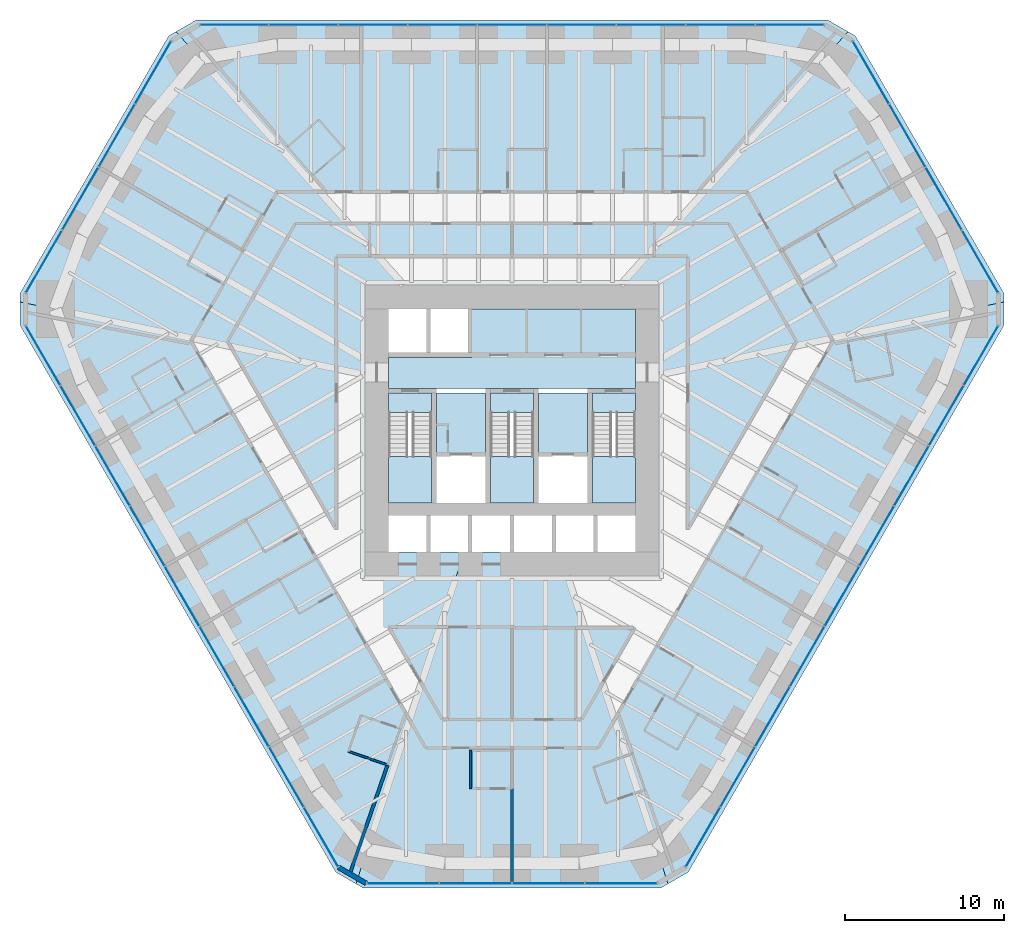
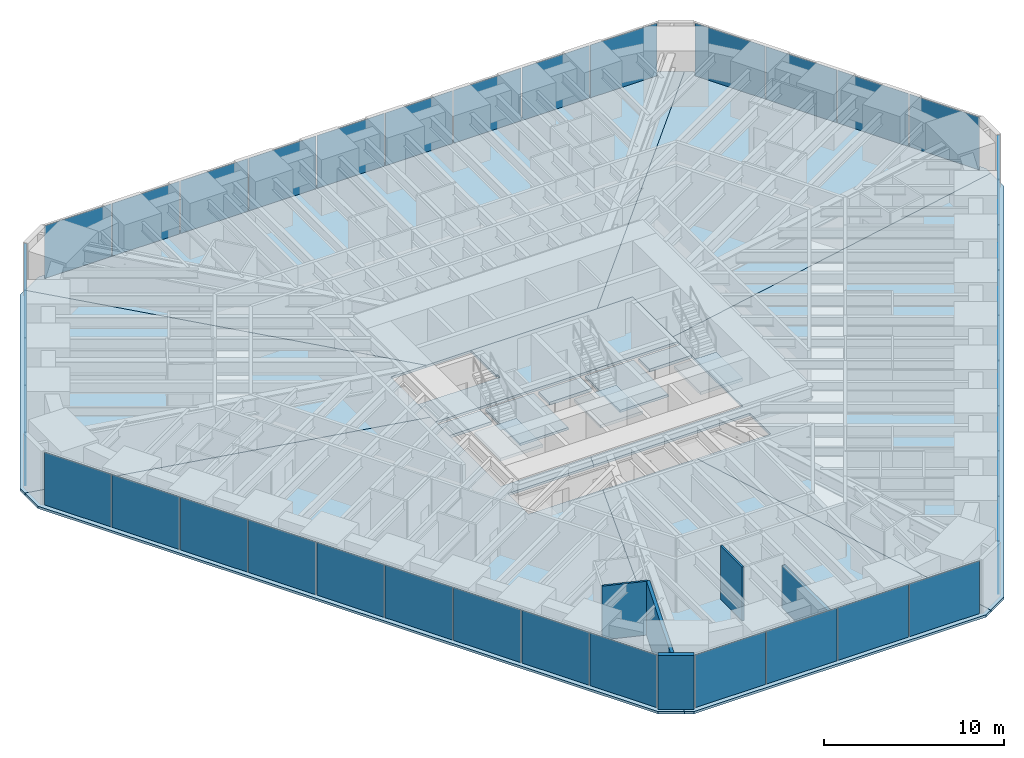
# One storey, part 10 of 17: 39 plates, 15 slabs, 5 walls, 9 elements without a shape of their own.
"""IFC4 building model written with IfcOpenShell, lengths in metres."""

import ifcopenshell
import ifcopenshell.guid

model = None  # the IFC model being written
_history = None  # IfcOwnerHistory: only IFC2X3 demands one
_inside = {}  # id of a spatial element -> (the spatial element, [elements in it])
_under = {}  # id of a project, library or spatial element -> (it, [spatial elements below it])
_declared = {}  # id of a project -> (the project, [libraries it declares])
_typed = {}  # id of a type object -> (the type object, [elements of that type])
_made_of = {}  # id of a material, layer set ... -> (it, [elements and type objects made of it])


def new_model(schema):
    """Start an empty IFC model of exactly this schema.

    Asked for "IFC4X3", IfcOpenShell would pick the latest addendum, in which some entities
    have other attributes; the version numbers below select the first issue.
    IFC2X3 requires an IfcOwnerHistory on every rooted entity: one is made here for all.
    """
    global model, _history
    if schema == "IFC4X3":
        model = ifcopenshell.file(schema_version=(4, 3, 0, 0))
    else:
        model = ifcopenshell.file(schema=schema)
    _inside.clear()
    _under.clear()
    _declared.clear()
    _typed.clear()
    _made_of.clear()
    _history = None
    if model.schema == "IFC2X3":
        org = make("IfcOrganization", Name="unknown")
        user = make(
            "IfcPersonAndOrganization",
            ThePerson=make("IfcPerson", FamilyName="unknown"),
            TheOrganization=org,
        )
        app = make(
            "IfcApplication",
            ApplicationDeveloper=org,
            Version="unknown",
            ApplicationFullName="unknown",
            ApplicationIdentifier="unknown",
        )
        _history = make(
            "IfcOwnerHistory",
            OwningUser=user,
            OwningApplication=app,
            ChangeAction="ADDED",
            CreationDate=0,
        )
    return model


def make(cls, **values):
    """One entity of the class cls with the attributes given. An attribute that is None is left unset."""
    return model.create_entity(
        cls, **{name: value for name, value in values.items() if value is not None}
    )


def rooted(cls, **values):
    """An entity with a GlobalId (a new one), such as an element, a storey or a relation."""
    return make(cls, GlobalId=ifcopenshell.guid.new(), OwnerHistory=_history, **values)


def si_unit(unit_type, name, prefix=None):
    """IfcSIUnit, for example si_unit("LENGTHUNIT", "METRE", prefix="MILLI")."""
    return make("IfcSIUnit", UnitType=unit_type, Prefix=prefix, Name=name)


def assignment(units):
    """IfcUnitAssignment: the units of a project."""
    return None if units is None else make("IfcUnitAssignment", Units=units)


def point(xyz):
    """IfcCartesianPoint."""
    return None if xyz is None else make("IfcCartesianPoint", Coordinates=xyz)


def direction(xyz):
    """IfcDirection."""
    return None if xyz is None else make("IfcDirection", DirectionRatios=xyz)


def frame(location, z_axis=None, x_axis=None):
    """IfcAxis2Placement3D, a coordinate frame: its origin and axes. An axis left out is left unset."""
    return make(
        "IfcAxis2Placement3D",
        Location=point(location),
        Axis=direction(z_axis),
        RefDirection=direction(x_axis),
    )


def frame_2d(location, x_axis=None):
    """IfcAxis2Placement2D, a coordinate frame in the plane: its origin and x axis."""
    return make(
        "IfcAxis2Placement2D", Location=point(location), RefDirection=direction(x_axis)
    )


def origin():
    """The frame at (0, 0, 0) with its axes left unset."""
    return frame((0.0, 0.0, 0.0))


def origin_2d():
    """The frame at (0, 0) in the plane with its x axis left unset."""
    return frame_2d((0.0, 0.0))


def place(relative_to, where):
    """IfcLocalPlacement: puts the frame where relative to a parent placement (None: the world)."""
    return make(
        "IfcLocalPlacement", PlacementRelTo=relative_to, RelativePlacement=where
    )


def context(
    kind, dimensions, precision=None, world=None, true_north=None, identifier=None
):
    """IfcGeometricRepresentationContext, for example the 3D "Model" context."""
    return make(
        "IfcGeometricRepresentationContext",
        ContextIdentifier=identifier,
        ContextType=kind,
        CoordinateSpaceDimension=dimensions,
        Precision=precision,
        WorldCoordinateSystem=world,
        TrueNorth=true_north,
    )


def subcontext(parent, identifier, kind, view, scale=None):
    """IfcGeometricRepresentationSubContext, for example "Body" below "Model"."""
    return make(
        "IfcGeometricRepresentationSubContext",
        ContextIdentifier=identifier,
        ContextType=kind,
        ParentContext=parent,
        TargetScale=scale,
        TargetView=view,
    )


def project(units=None, contexts=None):
    """IfcProject with its units and contexts."""
    return rooted(
        "IfcProject",
        Name="project",
        RepresentationContexts=contexts,
        UnitsInContext=assignment(units),
    )


def spatial(cls, under=None, at=None, **own):
    """A site, building, storey or space (cls), placed at a placement, below another one or the project."""
    s = rooted(cls, ObjectPlacement=at, **own)
    if under is not None:
        _under.setdefault(under.id(), (under, []))[1].append(s)
    return s


def polyline(points):
    """IfcPolyline through the points."""
    return make("IfcPolyline", Points=[point(p) for p in points])


def profile(cls, at=None, kind="AREA", **sizes):
    """A parametric profile (cls). Its sizes go by their IFC names, for example OverallWidth=200.0."""
    return make(cls, ProfileType=kind, Position=at, **sizes)


def rectangle(**sizes):
    """IfcRectangleProfileDef."""
    return profile("IfcRectangleProfileDef", **sizes)


def outline(outer, holes=None, kind="AREA"):
    """IfcArbitraryClosedProfileDef: a profile drawn as a closed curve; with holes, ...WithVoids."""
    if holes is None:
        return make("IfcArbitraryClosedProfileDef", ProfileType=kind, OuterCurve=outer)
    return make(
        "IfcArbitraryProfileDefWithVoids",
        ProfileType=kind,
        OuterCurve=outer,
        InnerCurves=holes,
    )


def extrude(swept, where, along, depth):
    """IfcExtrudedAreaSolid: the profile swept, set in the frame where, extruded along a direction by depth."""
    return make(
        "IfcExtrudedAreaSolid",
        SweptArea=swept,
        Position=where,
        ExtrudedDirection=direction(along),
        Depth=depth,
    )


def shape(context_of_items, identifier, shape_type, items):
    """IfcShapeRepresentation: the items that make up one representation, for example the "Body"."""
    return make(
        "IfcShapeRepresentation",
        ContextOfItems=context_of_items,
        RepresentationIdentifier=identifier,
        RepresentationType=shape_type,
        Items=items,
    )


def material(Name=None, Category=None):
    """IfcMaterial."""
    return make("IfcMaterial", Name=Name, Category=Category)


def layer(
    of_material, thickness, ventilated=None, Name=None, Category=None, Priority=None
):
    """IfcMaterialLayer: one layer of a wall or slab, of a material (None: an air gap)."""
    return make(
        "IfcMaterialLayer",
        Material=of_material,
        LayerThickness=thickness,
        IsVentilated=ventilated,
        Name=Name,
        Category=Category,
        Priority=Priority,
    )


def layer_set(layers, Name=None):
    """IfcMaterialLayerSet."""
    return make("IfcMaterialLayerSet", MaterialLayers=layers, LayerSetName=Name)


def made_of(thing, what):
    """Note that an element or type object is made of a material, layer set ...; save() writes the relation."""
    if what is not None:
        _made_of.setdefault(what.id(), (what, []))[1].append(thing)
    return thing


def type_object(cls, material=None, **own):
    """A type object (cls), such as IfcWallType, which elements share."""
    return made_of(rooted(cls, **own), material)


def element(
    cls,
    number,
    at=None,
    inside=None,
    cuts=None,
    type_object=None,
    material=None,
    context=None,
    identifier="Body",
    shape_type=None,
    held_by="IfcProductDefinitionShape",
    body=None,
    shapes=None,
    **own,
):
    """One element of the class cls, such as IfcWall. Its Tag is "e" and its number.

    at: its placement. inside: the storey or other place that contains it. cuts: it is an
    opening in that element (IfcRelVoidsElement). A single representation is given by context,
    identifier, shape_type and body (its items); several are given by shapes. held_by: the class
    of the entity that holds the representations. save() writes the other relations.
    """
    e = rooted(cls, Tag="e%d" % number, ObjectPlacement=at, **own)
    if body is not None:
        shapes = [shape(context, identifier, shape_type, body)]
    if shapes is not None:
        e.Representation = make(held_by, Representations=shapes)
    if inside is not None:
        _inside.setdefault(inside.id(), (inside, []))[1].append(e)
    if cuts is not None:
        rooted(
            "IfcRelVoidsElement", RelatingBuildingElement=cuts, RelatedOpeningElement=e
        )
    if type_object is not None:
        _typed.setdefault(type_object.id(), (type_object, []))[1].append(e)
    return made_of(e, material)


def aggregate(whole, parts):
    """IfcRelAggregates: a whole, such as a stair, and the parts it consists of."""
    return rooted("IfcRelAggregates", RelatingObject=whole, RelatedObjects=parts)


def save(model, path):
    """Write the relations noted so far, then the file.

    IfcRelAggregates (storeys below a building ...), IfcRelContainedInSpatialStructure (elements
    in a storey), IfcRelDefinesByType, IfcRelAssociatesMaterial and IfcRelDeclares: one each for
    every whole, place, type object, material and project.
    """
    for whole, parts in _under.values():
        aggregate(whole, parts)
    for where, things in _inside.values():
        rooted(
            "IfcRelContainedInSpatialStructure",
            RelatedElements=things,
            RelatingStructure=where,
        )
    for kind, things in _typed.values():
        rooted("IfcRelDefinesByType", RelatedObjects=things, RelatingType=kind)
    for what, things in _made_of.values():
        rooted("IfcRelAssociatesMaterial", RelatedObjects=things, RelatingMaterial=what)
    for by, libraries in _declared.values():
        rooted("IfcRelDeclares", RelatingContext=by, RelatedDefinitions=libraries)
    model.write(path)


model = new_model("IFC4")

# Units and contexts
model_context = context("Model", 3, precision=1e-05, world=origin(), true_north=direction((0.0, 1.0)))
body_context = subcontext(model_context, "Body", "Model", "MODEL_VIEW")
ifc_project = project(units=[si_unit("LENGTHUNIT", "METRE"), si_unit("AREAUNIT", "SQUARE_METRE"), si_unit("VOLUMEUNIT", "CUBIC_METRE"), si_unit("PLANEANGLEUNIT", "RADIAN"), si_unit("MASSUNIT", "GRAM", prefix="KILO")], contexts=[model_context])

# Site, building, storey
site_placement = place(None, origin())
site = spatial("IfcSite", under=ifc_project, at=site_placement, CompositionType="ELEMENT")
building_placement = place(site_placement, origin())
building = spatial("IfcBuilding", under=site, at=building_placement, Name="Sandreach Pilgrim Tower", CompositionType="ELEMENT")
storey_placement = place(building_placement, frame((0.0, 0.0, 30.60009765625)))
storey = spatial("IfcBuildingStorey", under=building, at=storey_placement, Name="L06", CompositionType="ELEMENT", Elevation=30.60009765625)

# Curtain wall, plates
ifc_material_1 = material(Name="Aluminium framed curtain wall", Category="aluminium")
curtain_wall_type = type_object("IfcCurtainWallType", Name="Hostel tower curtain wall", PredefinedType="NOTDEFINED", material=ifc_material_1)
curtain_wall_1_placement = place(storey_placement, origin())
curtain_wall_1 = element("IfcCurtainWall", 1, at=curtain_wall_1_placement, inside=storey, type_object=curtain_wall_type, Name="CW-1 L06 N", PredefinedType="NOTDEFINED")
ifc_material_2 = material(Name="Insulating glass unit 6 heat-strengthened + 12 argon + 6 heat-strengthened", Category="glass")
ifc_layer_1 = layer(ifc_material_2, 0.02392578125)
ifc_layer_set_1 = layer_set([ifc_layer_1], Name="CW-1 panel")
plate_type = type_object("IfcPlateType", Name="CW-1 panel", PredefinedType="CURTAIN_PANEL", material=ifc_layer_set_1)
plate_1_placement = place(storey_placement, frame((-17.469970703125, 23.94873046875, 0.0), z_axis=(0.0, 0.0, 1.0), x_axis=(1.0, 0.0, 0.0)))
plate_1 = element("IfcPlate", 2, at=plate_1_placement, type_object=plate_type, Name="CW-1 panel 1", PredefinedType="CURTAIN_PANEL", context=body_context, shape_type="SweptSolid", body=[
    extrude(rectangle(XDim=4.274169921875, YDim=0.02392578125, at=origin_2d()), origin(), (0.0, 0.0, 1.0), 3.570068359375),
])
plate_2_placement = place(storey_placement, frame((-13.11474609375, 23.94873046875, 0.0), z_axis=(0.0, 0.0, 1.0), x_axis=(1.0, 0.0, 0.0)))
plate_2 = element("IfcPlate", 3, at=plate_2_placement, type_object=plate_type, Name="CW-1 panel 2", PredefinedType="CURTAIN_PANEL", context=body_context, shape_type="SweptSolid", body=[
    extrude(rectangle(XDim=4.306640625, YDim=0.02392578125, at=origin_2d()), origin(), (0.0, 0.0, 1.0), 3.570068359375),
])
plate_3_placement = place(storey_placement, frame((-8.7431640625, 23.94873046875, 0.0), z_axis=(0.0, 0.0, 1.0), x_axis=(1.0, 0.0, 0.0)))
plate_3 = element("IfcPlate", 4, at=plate_3_placement, type_object=plate_type, Name="CW-1 panel 3", PredefinedType="CURTAIN_PANEL", context=body_context, shape_type="SweptSolid", body=[
    extrude(rectangle(XDim=4.306640625, YDim=0.02392578125, at=origin_2d()), origin(), (0.0, 0.0, 1.0), 3.570068359375),
])
plate_4_placement = place(storey_placement, frame((-4.37158203125, 23.94873046875, 0.0), z_axis=(0.0, 0.0, 1.0), x_axis=(1.0, 0.0, 0.0)))
plate_4 = element("IfcPlate", 5, at=plate_4_placement, type_object=plate_type, Name="CW-1 panel 4", PredefinedType="CURTAIN_PANEL", context=body_context, shape_type="SweptSolid", body=[
    extrude(rectangle(XDim=4.306640625, YDim=0.02392578125, at=origin_2d()), origin(), (0.0, 0.0, 1.0), 3.570068359375),
])
plate_5_placement = place(storey_placement, frame((0.0, 23.94873046875, 0.0), z_axis=(0.0, 0.0, 1.0), x_axis=(1.0, 0.0, 0.0)))
plate_5 = element("IfcPlate", 6, at=plate_5_placement, type_object=plate_type, Name="CW-1 panel 5", PredefinedType="CURTAIN_PANEL", context=body_context, shape_type="SweptSolid", body=[
    extrude(rectangle(XDim=4.306640625, YDim=0.02392578125, at=origin_2d()), origin(), (0.0, 0.0, 1.0), 3.570068359375),
])
plate_6_placement = place(storey_placement, frame((4.37158203125, 23.94873046875, 0.0), z_axis=(0.0, 0.0, 1.0), x_axis=(1.0, 0.0, 0.0)))
plate_6 = element("IfcPlate", 7, at=plate_6_placement, type_object=plate_type, Name="CW-1 panel 6", PredefinedType="CURTAIN_PANEL", context=body_context, shape_type="SweptSolid", body=[
    extrude(rectangle(XDim=4.306640625, YDim=0.02392578125, at=origin_2d()), origin(), (0.0, 0.0, 1.0), 3.570068359375),
])
plate_7_placement = place(storey_placement, frame((8.7431640625, 23.94873046875, 0.0), z_axis=(0.0, 0.0, 1.0), x_axis=(1.0, 0.0, 0.0)))
plate_7 = element("IfcPlate", 8, at=plate_7_placement, type_object=plate_type, Name="CW-1 panel 7", PredefinedType="CURTAIN_PANEL", context=body_context, shape_type="SweptSolid", body=[
    extrude(rectangle(XDim=4.306640625, YDim=0.02392578125, at=origin_2d()), origin(), (0.0, 0.0, 1.0), 3.570068359375),
])
plate_8_placement = place(storey_placement, frame((13.11474609375, 23.94873046875, 0.0), z_axis=(0.0, 0.0, 1.0), x_axis=(1.0, 0.0, 0.0)))
plate_8 = element("IfcPlate", 9, at=plate_8_placement, type_object=plate_type, Name="CW-1 panel 8", PredefinedType="CURTAIN_PANEL", context=body_context, shape_type="SweptSolid", body=[
    extrude(rectangle(XDim=4.306640625, YDim=0.02392578125, at=origin_2d()), origin(), (0.0, 0.0, 1.0), 3.570068359375),
])
plate_9_placement = place(storey_placement, frame((17.469970703125, 23.94873046875, 0.0), z_axis=(0.0, 0.0, 1.0), x_axis=(1.0, 0.0, 0.0)))
plate_9 = element("IfcPlate", 10, at=plate_9_placement, type_object=plate_type, Name="CW-1 panel 9", PredefinedType="CURTAIN_PANEL", context=body_context, shape_type="SweptSolid", body=[
    extrude(rectangle(XDim=4.274169921875, YDim=0.02392578125, at=origin_2d()), origin(), (0.0, 0.0, 1.0), 3.570068359375),
])
aggregate(curtain_wall_1, [plate_1, plate_2, plate_3, plate_4, plate_5, plate_6, plate_7, plate_8, plate_9])

curtain_wall_2_placement = place(storey_placement, origin())
curtain_wall_2 = element("IfcCurtainWall", 11, at=curtain_wall_2_placement, inside=storey, type_object=curtain_wall_type, Name="CW-1 L06 NE", PredefinedType="NOTDEFINED")
plate_10_placement = place(storey_placement, frame((22.558837890625, 20.94873046875, 0.0), z_axis=(0.0, 0.0, 1.0), x_axis=(0.5, -0.866025403784, 0.0)))
plate_10 = element("IfcPlate", 12, at=plate_10_placement, type_object=plate_type, Name="CW-1 panel 1", PredefinedType="CURTAIN_PANEL", context=body_context, shape_type="SweptSolid", body=[
    extrude(rectangle(XDim=4.488525390625, YDim=0.02392578125, at=origin_2d()), origin(), (0.0, 0.0, 1.0), 3.570068359375),
])
plate_11_placement = place(storey_placement, frame((24.84375, 16.9912109375, 0.0), z_axis=(0.0, 0.0, 1.0), x_axis=(0.5, -0.866025403784, 0.0)))
plate_11 = element("IfcPlate", 13, at=plate_11_placement, type_object=plate_type, Name="CW-1 panel 2", PredefinedType="CURTAIN_PANEL", context=body_context, shape_type="SweptSolid", body=[
    extrude(rectangle(XDim=4.52099609375, YDim=0.02392578125, at=origin_2d()), origin(), (0.0, 0.0, 1.0), 3.570068359375),
])
plate_12_placement = place(storey_placement, frame((27.13671875, 13.01953125, 0.0), z_axis=(0.0, 0.0, 1.0), x_axis=(0.5, -0.866025403784, 0.0)))
plate_12 = element("IfcPlate", 14, at=plate_12_placement, type_object=plate_type, Name="CW-1 panel 3", PredefinedType="CURTAIN_PANEL", context=body_context, shape_type="SweptSolid", body=[
    extrude(rectangle(XDim=4.52099609375, YDim=0.02392578125, at=origin_2d()), origin(), (0.0, 0.0, 1.0), 3.570068359375),
])
plate_13_placement = place(storey_placement, frame((29.421630859375, 9.06201171875, 0.0), z_axis=(0.0, 0.0, 1.0), x_axis=(0.5, -0.866025403784, 0.0)))
plate_13 = element("IfcPlate", 15, at=plate_13_placement, type_object=plate_type, Name="CW-1 panel 4", PredefinedType="CURTAIN_PANEL", context=body_context, shape_type="SweptSolid", body=[
    extrude(rectangle(XDim=4.488525390625, YDim=0.02392578125, at=origin_2d()), origin(), (0.0, 0.0, 1.0), 3.570068359375),
])
aggregate(curtain_wall_2, [plate_10, plate_11, plate_12, plate_13])

curtain_wall_3_placement = place(storey_placement, origin())
curtain_wall_3 = element("IfcCurtainWall", 16, at=curtain_wall_3_placement, inside=storey, type_object=curtain_wall_type, Name="CW-1 L06 SE", PredefinedType="NOTDEFINED")
plate_14_placement = place(storey_placement, frame((29.475341796875, 3.1552734375, 0.0), z_axis=(0.0, 0.0, 1.0), x_axis=(-0.5, -0.866025403784, 0.0)))
plate_14 = element("IfcPlate", 17, at=plate_14_placement, type_object=plate_type, Name="CW-1 panel 1", PredefinedType="CURTAIN_PANEL", context=body_context, shape_type="SweptSolid", body=[
    extrude(rectangle(XDim=4.274169921875, YDim=0.02392578125, at=origin_2d()), origin(), (0.0, 0.0, 1.0), 3.570068359375),
])
plate_15_placement = place(storey_placement, frame((27.297607421875, -0.61669921875, 0.0), z_axis=(0.0, 0.0, 1.0), x_axis=(-0.5, -0.866025403784, 0.0)))
plate_15 = element("IfcPlate", 18, at=plate_15_placement, type_object=plate_type, Name="CW-1 panel 2", PredefinedType="CURTAIN_PANEL", context=body_context, shape_type="SweptSolid", body=[
    extrude(rectangle(XDim=4.306640625, YDim=0.02392578125, at=origin_2d()), origin(), (0.0, 0.0, 1.0), 3.570068359375),
])
plate_16_placement = place(storey_placement, frame((25.11181640625, -4.402587890625, 0.0), z_axis=(0.0, 0.0, 1.0), x_axis=(-0.5, -0.866025403784, 0.0)))
plate_16 = element("IfcPlate", 19, at=plate_16_placement, type_object=plate_type, Name="CW-1 panel 3", PredefinedType="CURTAIN_PANEL", context=body_context, shape_type="SweptSolid", body=[
    extrude(rectangle(XDim=4.306640625, YDim=0.02392578125, at=origin_2d()), origin(), (0.0, 0.0, 1.0), 3.570068359375),
])
plate_17_placement = place(storey_placement, frame((22.926025390625, -8.1884765625, 0.0), z_axis=(0.0, 0.0, 1.0), x_axis=(-0.5, -0.866025403784, 0.0)))
plate_17 = element("IfcPlate", 20, at=plate_17_placement, type_object=plate_type, Name="CW-1 panel 4", PredefinedType="CURTAIN_PANEL", context=body_context, shape_type="SweptSolid", body=[
    extrude(rectangle(XDim=4.306640625, YDim=0.02392578125, at=origin_2d()), origin(), (0.0, 0.0, 1.0), 3.570068359375),
])
plate_18_placement = place(storey_placement, frame((20.740234375, -11.974365234375, 0.0), z_axis=(0.0, 0.0, 1.0), x_axis=(-0.5, -0.866025403784, 0.0)))
plate_18 = element("IfcPlate", 21, at=plate_18_placement, type_object=plate_type, Name="CW-1 panel 5", PredefinedType="CURTAIN_PANEL", context=body_context, shape_type="SweptSolid", body=[
    extrude(rectangle(XDim=4.306640625, YDim=0.02392578125, at=origin_2d()), origin(), (0.0, 0.0, 1.0), 3.570068359375),
])
plate_19_placement = place(storey_placement, frame((18.554443359375, -15.76025390625, 0.0), z_axis=(0.0, 0.0, 1.0), x_axis=(-0.5, -0.866025403784, 0.0)))
plate_19 = element("IfcPlate", 22, at=plate_19_placement, type_object=plate_type, Name="CW-1 panel 6", PredefinedType="CURTAIN_PANEL", context=body_context, shape_type="SweptSolid", body=[
    extrude(rectangle(XDim=4.306640625, YDim=0.02392578125, at=origin_2d()), origin(), (0.0, 0.0, 1.0), 3.570068359375),
])
plate_20_placement = place(storey_placement, frame((16.36865234375, -19.546142578125, 0.0), z_axis=(0.0, 0.0, 1.0), x_axis=(-0.5, -0.866025403784, 0.0)))
plate_20 = element("IfcPlate", 23, at=plate_20_placement, type_object=plate_type, Name="CW-1 panel 7", PredefinedType="CURTAIN_PANEL", context=body_context, shape_type="SweptSolid", body=[
    extrude(rectangle(XDim=4.306640625, YDim=0.02392578125, at=origin_2d()), origin(), (0.0, 0.0, 1.0), 3.570068359375),
])
plate_21_placement = place(storey_placement, frame((14.182861328125, -23.33203125, 0.0), z_axis=(0.0, 0.0, 1.0), x_axis=(-0.5, -0.866025403784, 0.0)))
plate_21 = element("IfcPlate", 24, at=plate_21_placement, type_object=plate_type, Name="CW-1 panel 8", PredefinedType="CURTAIN_PANEL", context=body_context, shape_type="SweptSolid", body=[
    extrude(rectangle(XDim=4.306640625, YDim=0.02392578125, at=origin_2d()), origin(), (0.0, 0.0, 1.0), 3.570068359375),
])
plate_22_placement = place(storey_placement, frame((12.005126953125, -27.103759765625, 0.0), z_axis=(0.0, 0.0, 1.0), x_axis=(-0.5, -0.866025403784, 0.0)))
plate_22 = element("IfcPlate", 25, at=plate_22_placement, type_object=plate_type, Name="CW-1 panel 9", PredefinedType="CURTAIN_PANEL", context=body_context, shape_type="SweptSolid", body=[
    extrude(rectangle(XDim=4.274169921875, YDim=0.02392578125, at=origin_2d()), origin(), (0.0, 0.0, 1.0), 3.570068359375),
])
aggregate(curtain_wall_3, [plate_14, plate_15, plate_16, plate_17, plate_18, plate_19, plate_20, plate_21, plate_22])

curtain_wall_4_placement = place(storey_placement, origin())
curtain_wall_4 = element("IfcCurtainWall", 26, at=curtain_wall_4_placement, inside=storey, type_object=curtain_wall_type, Name="CW-1 L06 S", PredefinedType="NOTDEFINED")
plate_23_placement = place(storey_placement, frame((6.86279296875, -30.010986328125, 0.0), z_axis=(0.0, 0.0, 1.0), x_axis=(-1.0, 0.0, 0.0)))
plate_23 = element("IfcPlate", 27, at=plate_23_placement, type_object=plate_type, Name="CW-1 panel 1", PredefinedType="CURTAIN_PANEL", context=body_context, shape_type="SweptSolid", body=[
    extrude(rectangle(XDim=4.488525390625, YDim=0.02392578125, at=origin_2d()), origin(), (0.0, 0.0, 1.0), 3.570068359375),
])
plate_24_placement = place(storey_placement, frame((2.29296875, -30.010986328125, 0.0), z_axis=(0.0, 0.0, 1.0), x_axis=(-1.0, 0.0, 0.0)))
plate_24 = element("IfcPlate", 28, at=plate_24_placement, type_object=plate_type, Name="CW-1 panel 2", PredefinedType="CURTAIN_PANEL", context=body_context, shape_type="SweptSolid", body=[
    extrude(rectangle(XDim=4.52099609375, YDim=0.02392578125, at=origin_2d()), origin(), (0.0, 0.0, 1.0), 3.570068359375),
])
plate_25_placement = place(storey_placement, frame((-2.29296875, -30.010986328125, 0.0), z_axis=(0.0, 0.0, 1.0), x_axis=(-1.0, 0.0, 0.0)))
plate_25 = element("IfcPlate", 29, at=plate_25_placement, type_object=plate_type, Name="CW-1 panel 3", PredefinedType="CURTAIN_PANEL", context=body_context, shape_type="SweptSolid", body=[
    extrude(rectangle(XDim=4.52099609375, YDim=0.02392578125, at=origin_2d()), origin(), (0.0, 0.0, 1.0), 3.570068359375),
])
plate_26_placement = place(storey_placement, frame((-6.86279296875, -30.010986328125, 0.0), z_axis=(0.0, 0.0, 1.0), x_axis=(-1.0, 0.0, 0.0)))
plate_26 = element("IfcPlate", 30, at=plate_26_placement, type_object=plate_type, Name="CW-1 panel 4", PredefinedType="CURTAIN_PANEL", context=body_context, shape_type="SweptSolid", body=[
    extrude(rectangle(XDim=4.488525390625, YDim=0.02392578125, at=origin_2d()), origin(), (0.0, 0.0, 1.0), 3.570068359375),
])
aggregate(curtain_wall_4, [plate_23, plate_24, plate_25, plate_26])

curtain_wall_5_placement = place(storey_placement, origin())
curtain_wall_5 = element("IfcCurtainWall", 31, at=curtain_wall_5_placement, inside=storey, type_object=curtain_wall_type, Name="CW-1 L06 SW", PredefinedType="NOTDEFINED")
plate_27_placement = place(storey_placement, frame((-12.005126953125, -27.103759765625, 0.0), z_axis=(0.0, 0.0, 1.0), x_axis=(-0.5, 0.866025403784, 0.0)))
plate_27 = element("IfcPlate", 32, at=plate_27_placement, type_object=plate_type, Name="CW-1 panel 1", PredefinedType="CURTAIN_PANEL", context=body_context, shape_type="SweptSolid", body=[
    extrude(rectangle(XDim=4.274169921875, YDim=0.02392578125, at=origin_2d()), origin(), (0.0, 0.0, 1.0), 3.570068359375),
])
plate_28_placement = place(storey_placement, frame((-14.182861328125, -23.33203125, 0.0), z_axis=(0.0, 0.0, 1.0), x_axis=(-0.5, 0.866025403784, 0.0)))
plate_28 = element("IfcPlate", 33, at=plate_28_placement, type_object=plate_type, Name="CW-1 panel 2", PredefinedType="CURTAIN_PANEL", context=body_context, shape_type="SweptSolid", body=[
    extrude(rectangle(XDim=4.306640625, YDim=0.02392578125, at=origin_2d()), origin(), (0.0, 0.0, 1.0), 3.570068359375),
])
plate_29_placement = place(storey_placement, frame((-16.36865234375, -19.546142578125, 0.0), z_axis=(0.0, 0.0, 1.0), x_axis=(-0.5, 0.866025403784, 0.0)))
plate_29 = element("IfcPlate", 34, at=plate_29_placement, type_object=plate_type, Name="CW-1 panel 3", PredefinedType="CURTAIN_PANEL", context=body_context, shape_type="SweptSolid", body=[
    extrude(rectangle(XDim=4.306640625, YDim=0.02392578125, at=origin_2d()), origin(), (0.0, 0.0, 1.0), 3.570068359375),
])
plate_30_placement = place(storey_placement, frame((-18.554443359375, -15.76025390625, 0.0), z_axis=(0.0, 0.0, 1.0), x_axis=(-0.5, 0.866025403784, 0.0)))
plate_30 = element("IfcPlate", 35, at=plate_30_placement, type_object=plate_type, Name="CW-1 panel 4", PredefinedType="CURTAIN_PANEL", context=body_context, shape_type="SweptSolid", body=[
    extrude(rectangle(XDim=4.306640625, YDim=0.02392578125, at=origin_2d()), origin(), (0.0, 0.0, 1.0), 3.570068359375),
])
plate_31_placement = place(storey_placement, frame((-20.740234375, -11.974365234375, 0.0), z_axis=(0.0, 0.0, 1.0), x_axis=(-0.5, 0.866025403784, 0.0)))
plate_31 = element("IfcPlate", 36, at=plate_31_placement, type_object=plate_type, Name="CW-1 panel 5", PredefinedType="CURTAIN_PANEL", context=body_context, shape_type="SweptSolid", body=[
    extrude(rectangle(XDim=4.306640625, YDim=0.02392578125, at=origin_2d()), origin(), (0.0, 0.0, 1.0), 3.570068359375),
])
plate_32_placement = place(storey_placement, frame((-22.926025390625, -8.1884765625, 0.0), z_axis=(0.0, 0.0, 1.0), x_axis=(-0.5, 0.866025403784, 0.0)))
plate_32 = element("IfcPlate", 37, at=plate_32_placement, type_object=plate_type, Name="CW-1 panel 6", PredefinedType="CURTAIN_PANEL", context=body_context, shape_type="SweptSolid", body=[
    extrude(rectangle(XDim=4.306640625, YDim=0.02392578125, at=origin_2d()), origin(), (0.0, 0.0, 1.0), 3.570068359375),
])
plate_33_placement = place(storey_placement, frame((-25.11181640625, -4.402587890625, 0.0), z_axis=(0.0, 0.0, 1.0), x_axis=(-0.5, 0.866025403784, 0.0)))
plate_33 = element("IfcPlate", 38, at=plate_33_placement, type_object=plate_type, Name="CW-1 panel 7", PredefinedType="CURTAIN_PANEL", context=body_context, shape_type="SweptSolid", body=[
    extrude(rectangle(XDim=4.306640625, YDim=0.02392578125, at=origin_2d()), origin(), (0.0, 0.0, 1.0), 3.570068359375),
])
plate_34_placement = place(storey_placement, frame((-27.297607421875, -0.61669921875, 0.0), z_axis=(0.0, 0.0, 1.0), x_axis=(-0.5, 0.866025403784, 0.0)))
plate_34 = element("IfcPlate", 39, at=plate_34_placement, type_object=plate_type, Name="CW-1 panel 8", PredefinedType="CURTAIN_PANEL", context=body_context, shape_type="SweptSolid", body=[
    extrude(rectangle(XDim=4.306640625, YDim=0.02392578125, at=origin_2d()), origin(), (0.0, 0.0, 1.0), 3.570068359375),
])
plate_35_placement = place(storey_placement, frame((-29.475341796875, 3.1552734375, 0.0), z_axis=(0.0, 0.0, 1.0), x_axis=(-0.5, 0.866025403784, 0.0)))
plate_35 = element("IfcPlate", 40, at=plate_35_placement, type_object=plate_type, Name="CW-1 panel 9", PredefinedType="CURTAIN_PANEL", context=body_context, shape_type="SweptSolid", body=[
    extrude(rectangle(XDim=4.274169921875, YDim=0.02392578125, at=origin_2d()), origin(), (0.0, 0.0, 1.0), 3.570068359375),
])
aggregate(curtain_wall_5, [plate_27, plate_28, plate_29, plate_30, plate_31, plate_32, plate_33, plate_34, plate_35])

curtain_wall_6_placement = place(storey_placement, origin())
curtain_wall_6 = element("IfcCurtainWall", 41, at=curtain_wall_6_placement, inside=storey, type_object=curtain_wall_type, Name="CW-1 L06 NW", PredefinedType="NOTDEFINED")
plate_36_placement = place(storey_placement, frame((-29.421630859375, 9.06201171875, 0.0), z_axis=(0.0, 0.0, 1.0), x_axis=(0.5, 0.866025403784, 0.0)))
plate_36 = element("IfcPlate", 42, at=plate_36_placement, type_object=plate_type, Name="CW-1 panel 1", PredefinedType="CURTAIN_PANEL", context=body_context, shape_type="SweptSolid", body=[
    extrude(rectangle(XDim=4.488525390625, YDim=0.02392578125, at=origin_2d()), origin(), (0.0, 0.0, 1.0), 3.570068359375),
])
plate_37_placement = place(storey_placement, frame((-27.13671875, 13.01953125, 0.0), z_axis=(0.0, 0.0, 1.0), x_axis=(0.5, 0.866025403784, 0.0)))
plate_37 = element("IfcPlate", 43, at=plate_37_placement, type_object=plate_type, Name="CW-1 panel 2", PredefinedType="CURTAIN_PANEL", context=body_context, shape_type="SweptSolid", body=[
    extrude(rectangle(XDim=4.52099609375, YDim=0.02392578125, at=origin_2d()), origin(), (0.0, 0.0, 1.0), 3.570068359375),
])
plate_38_placement = place(storey_placement, frame((-24.84375, 16.9912109375, 0.0), z_axis=(0.0, 0.0, 1.0), x_axis=(0.5, 0.866025403784, 0.0)))
plate_38 = element("IfcPlate", 44, at=plate_38_placement, type_object=plate_type, Name="CW-1 panel 3", PredefinedType="CURTAIN_PANEL", context=body_context, shape_type="SweptSolid", body=[
    extrude(rectangle(XDim=4.52099609375, YDim=0.02392578125, at=origin_2d()), origin(), (0.0, 0.0, 1.0), 3.570068359375),
])
plate_39_placement = place(storey_placement, frame((-22.558837890625, 20.94873046875, 0.0), z_axis=(0.0, 0.0, 1.0), x_axis=(0.5, 0.866025403784, 0.0)))
plate_39 = element("IfcPlate", 45, at=plate_39_placement, type_object=plate_type, Name="CW-1 panel 4", PredefinedType="CURTAIN_PANEL", context=body_context, shape_type="SweptSolid", body=[
    extrude(rectangle(XDim=4.488525390625, YDim=0.02392578125, at=origin_2d()), origin(), (0.0, 0.0, 1.0), 3.570068359375),
])
aggregate(curtain_wall_6, [plate_36, plate_37, plate_38, plate_39])

# Slabs
ifc_material_3 = material(Name="Concrete 8000 psi", Category="concrete")
ifc_layer_2 = layer(ifc_material_3, 0.159912109375)
ifc_layer_set_2 = layer_set([ifc_layer_2], Name="Composite floor slab 160")
slab_type_1 = type_object("IfcSlabType", Name="Composite floor slab 160", PredefinedType="FLOOR", material=ifc_layer_set_2)
slab_1_placement = place(storey_placement, frame((0.0, 0.0, -0.16015625)))
element("IfcSlab", 46, at=slab_1_placement, inside=storey, type_object=slab_type_1, Name="Floor slab L06 N sector", PredefinedType="FLOOR", context=body_context, shape_type="SweptSolid", body=[
    extrude(outline(polyline([(-19.84521484375, 24.248779296875), (19.84521484375, 24.248779296875), (21.115478515625, 23.515380859375), (5.477294921875, 6.10009765625), (-5.477294921875, 6.10009765625), (-21.115478515625, 23.515380859375), (-19.84521484375, 24.248779296875)])), origin(), (0.0, 0.0, 1.0), 0.16015625),
])
slab_2_placement = place(storey_placement, frame((0.0, 0.0, -0.16015625)))
element("IfcSlab", 47, at=slab_2_placement, inside=storey, type_object=slab_type_1, Name="Floor slab L06 NE sector", PredefinedType="FLOOR", context=body_context, shape_type="SweptSolid", body=[
    extrude(outline(polyline([(21.577392578125, 23.248779296875), (30.922607421875, 7.062255859375), (30.922607421875, 6.52880859375), (7.75, 1.63623046875), (7.75, 6.10009765625), (5.477294921875, 6.10009765625), (21.115478515625, 23.515380859375), (21.577392578125, 23.248779296875)])), origin(), (0.0, 0.0, 1.0), 0.16015625),
])
slab_3_placement = place(storey_placement, frame((0.0, 0.0, -0.16015625)))
element("IfcSlab", 48, at=slab_3_placement, inside=storey, type_object=slab_type_1, Name="Floor slab L06 SE sector", PredefinedType="FLOOR", context=body_context, shape_type="SweptSolid", body=[
    extrude(outline(polyline([(11.077392578125, -29.310791015625), (9.80712890625, -30.044189453125), (3.003173828125, -9.199951171875), (7.75, -9.199951171875), (7.75, -6.89990234375), (-2.252197265625, -6.89990234375), (-1.9912109375, -6.10009765625), (7.75, -6.10009765625), (7.75, 1.63623046875), (30.922607421875, 6.52880859375), (30.922607421875, 5.062255859375), (11.077392578125, -29.310791015625)])), origin(), (0.0, 0.0, 1.0), 0.16015625),
])
slab_4_placement = place(storey_placement, frame((0.0, 0.0, -0.16015625)))
element("IfcSlab", 49, at=slab_4_placement, inside=storey, type_object=slab_type_1, Name="Floor slab L06 S sector", PredefinedType="FLOOR", context=body_context, shape_type="SweptSolid", body=[
    extrude(outline(polyline([(9.34521484375, -30.310791015625), (-9.34521484375, -30.310791015625), (-9.80712890625, -30.044189453125), (-3.003173828125, -9.199951171875), (3.003173828125, -9.199951171875), (9.80712890625, -30.044189453125), (9.34521484375, -30.310791015625)])), origin(), (0.0, 0.0, 1.0), 0.16015625),
])
slab_5_placement = place(storey_placement, frame((0.0, 0.0, -0.16015625)))
element("IfcSlab", 50, at=slab_5_placement, inside=storey, type_object=slab_type_1, Name="Floor slab L06 SW sector", PredefinedType="FLOOR", context=body_context, shape_type="SweptSolid", body=[
    extrude(outline(polyline([(-11.077392578125, -29.310791015625), (-30.922607421875, 5.062255859375), (-30.922607421875, 6.52880859375), (-7.75, 1.63623046875), (-7.75, -6.10009765625), (-1.9912109375, -6.10009765625), (-2.252197265625, -6.89990234375), (-7.75, -6.89990234375), (-7.75, -9.199951171875), (-3.003173828125, -9.199951171875), (-9.80712890625, -30.044189453125), (-11.077392578125, -29.310791015625)])), origin(), (0.0, 0.0, 1.0), 0.16015625),
])
slab_6_placement = place(storey_placement, frame((0.0, 0.0, -0.16015625)))
element("IfcSlab", 51, at=slab_6_placement, inside=storey, type_object=slab_type_1, Name="Floor slab L06 NW sector", PredefinedType="FLOOR", context=body_context, shape_type="SweptSolid", body=[
    extrude(outline(polyline([(-30.922607421875, 7.062255859375), (-21.577392578125, 23.248779296875), (-21.115478515625, 23.515380859375), (-5.477294921875, 6.10009765625), (-7.75, 6.10009765625), (-7.75, 1.63623046875), (-30.922607421875, 6.52880859375), (-30.922607421875, 7.062255859375)])), origin(), (0.0, 0.0, 1.0), 0.16015625),
])
slab_7_placement = place(storey_placement, frame((0.0, 0.0, -0.16015625)))
element("IfcSlab", 52, at=slab_7_placement, inside=storey, type_object=slab_type_1, Name="Core floor slab and stores L06", PredefinedType="FLOOR", context=body_context, shape_type="SweptSolid", body=[
    extrude(outline(polyline([(-7.75, 3.050048828125), (-5.375, 3.050048828125), (-5.125, 3.050048828125), (-2.5, 3.050048828125), (-2.5, 3.35009765625), (-2.60009765625, 3.35009765625), (-2.60009765625, 6.10009765625), (7.75, 6.10009765625), (7.75, 1.10009765625), (5.050048828125, 1.10009765625), (4.75, 1.10009765625), (1.64990234375, 1.10009765625), (1.35009765625, 1.10009765625), (-1.35009765625, 1.10009765625), (-1.64990234375, 1.10009765625), (-4.75, 1.10009765625), (-5.050048828125, 1.10009765625), (-7.75, 1.10009765625), (-7.75, 3.050048828125)])), origin(), (0.0, 0.0, 1.0), 0.16015625),
])
slab_8_placement = place(storey_placement, frame((0.0, 0.0, -0.16015625)))
element("IfcSlab", 53, at=slab_8_placement, inside=storey, type_object=slab_type_1, Name="Core floor slab and stores L06 2", PredefinedType="FLOOR", context=body_context, shape_type="SweptSolid", body=[
    extrude(outline(polyline([(-1.64990234375, -3.050048828125), (-4.75, -3.050048828125), (-4.75, 0.800048828125), (-1.64990234375, 0.800048828125), (-1.64990234375, -3.050048828125)])), origin(), (0.0, 0.0, 1.0), 0.16015625),
])
slab_9_placement = place(storey_placement, frame((0.0, 0.0, -0.16015625)))
element("IfcSlab", 54, at=slab_9_placement, inside=storey, type_object=slab_type_1, Name="Core floor slab and stores L06 3", PredefinedType="FLOOR", context=body_context, shape_type="SweptSolid", body=[
    extrude(outline(polyline([(4.75, -3.050048828125), (1.64990234375, -3.050048828125), (1.64990234375, 0.800048828125), (4.75, 0.800048828125), (4.75, -3.050048828125)])), origin(), (0.0, 0.0, 1.0), 0.16015625),
])

# Stair, slabs
ifc_material_4 = material(Name="Concrete 8000 psi", Category="concrete")
stair_type = type_object("IfcStairType", Name="Core exit stair", PredefinedType="HALF_TURN_STAIR", material=ifc_material_4)
stair_1_placement = place(storey_placement, origin())
stair_1 = element("IfcStair", 55, at=stair_1_placement, inside=storey, type_object=stair_type, Name="Exit stair ST1 L06", PredefinedType="HALF_TURN_STAIR")
ifc_material_5 = material(Name="Concrete 8000 psi", Category="concrete")
ifc_layer_3 = layer(ifc_material_5, 0.199951171875)
ifc_layer_set_3 = layer_set([ifc_layer_3], Name="Core stair landing 200")
slab_type_2 = type_object("IfcSlabType", Name="Core stair landing 200", PredefinedType="LANDING", material=ifc_layer_set_3)
slab_10_placement = place(storey_placement, frame((0.0, 0.0, -0.2001953125)))
slab_10 = element("IfcSlab", 56, at=slab_10_placement, type_object=slab_type_2, Name="ST1 landing 1", PredefinedType="LANDING", context=body_context, shape_type="SweptSolid", body=[
    extrude(outline(polyline([(-7.75, -0.425048828125), (-5.050048828125, -0.425048828125), (-5.050048828125, 0.800048828125), (-7.75, 0.800048828125), (-7.75, -0.425048828125)])), origin(), (0.0, 0.0, 1.0), 0.2001953125),
])
slab_11_placement = place(storey_placement, frame((0.0, 0.0, 1.699951171875)))
slab_11 = element("IfcSlab", 57, at=slab_11_placement, type_object=slab_type_2, Name="ST1 landing 2", PredefinedType="LANDING", context=body_context, shape_type="SweptSolid", body=[
    extrude(outline(polyline([(-7.75, -6.10009765625), (-5.050048828125, -6.10009765625), (-5.050048828125, -3.175048828125), (-7.75, -3.175048828125), (-7.75, -6.10009765625)])), origin(), (0.0, 0.0, 1.0), 0.199951171875),
])
aggregate(stair_1, [slab_10, slab_11])

stair_2_placement = place(storey_placement, origin())
stair_2 = element("IfcStair", 58, at=stair_2_placement, inside=storey, type_object=stair_type, Name="Exit stair ST3 L06", PredefinedType="HALF_TURN_STAIR")
slab_12_placement = place(storey_placement, frame((0.0, 0.0, -0.2001953125)))
slab_12 = element("IfcSlab", 59, at=slab_12_placement, type_object=slab_type_2, Name="ST3 landing 1", PredefinedType="LANDING", context=body_context, shape_type="SweptSolid", body=[
    extrude(outline(polyline([(-1.35009765625, -0.425048828125), (1.35009765625, -0.425048828125), (1.35009765625, 0.800048828125), (-1.35009765625, 0.800048828125), (-1.35009765625, -0.425048828125)])), origin(), (0.0, 0.0, 1.0), 0.2001953125),
])
slab_13_placement = place(storey_placement, frame((0.0, 0.0, 1.699951171875)))
slab_13 = element("IfcSlab", 60, at=slab_13_placement, type_object=slab_type_2, Name="ST3 landing 2", PredefinedType="LANDING", context=body_context, shape_type="SweptSolid", body=[
    extrude(outline(polyline([(-1.35009765625, -6.10009765625), (1.35009765625, -6.10009765625), (1.35009765625, -3.175048828125), (-1.35009765625, -3.175048828125), (-1.35009765625, -6.10009765625)])), origin(), (0.0, 0.0, 1.0), 0.199951171875),
])
aggregate(stair_2, [slab_12, slab_13])

stair_3_placement = place(storey_placement, origin())
stair_3 = element("IfcStair", 61, at=stair_3_placement, inside=storey, type_object=stair_type, Name="Exit stair ST2 L06", PredefinedType="HALF_TURN_STAIR")
slab_14_placement = place(storey_placement, frame((0.0, 0.0, -0.2001953125)))
slab_14 = element("IfcSlab", 62, at=slab_14_placement, type_object=slab_type_2, Name="ST2 landing 1", PredefinedType="LANDING", context=body_context, shape_type="SweptSolid", body=[
    extrude(outline(polyline([(5.050048828125, -0.425048828125), (7.75, -0.425048828125), (7.75, 0.800048828125), (5.050048828125, 0.800048828125), (5.050048828125, -0.425048828125)])), origin(), (0.0, 0.0, 1.0), 0.2001953125),
])
slab_15_placement = place(storey_placement, frame((0.0, 0.0, 1.699951171875)))
slab_15 = element("IfcSlab", 63, at=slab_15_placement, type_object=slab_type_2, Name="ST2 landing 2", PredefinedType="LANDING", context=body_context, shape_type="SweptSolid", body=[
    extrude(outline(polyline([(5.050048828125, -6.10009765625), (7.75, -6.10009765625), (7.75, -3.175048828125), (5.050048828125, -3.175048828125), (5.050048828125, -6.10009765625)])), origin(), (0.0, 0.0, 1.0), 0.199951171875),
])
aggregate(stair_3, [slab_14, slab_15])

# Walls
ifc_material_6 = material(Name="Moisture-resistant gypsum board on steel studs", Category="steel")
ifc_layer_4 = layer(ifc_material_6, 0.1201171875)
ifc_layer_set_4 = layer_set([ifc_layer_4], Name="Bathroom partition 120")
wall_type_1 = type_object("IfcWallType", Name="Bathroom partition 120", PredefinedType="PARTITIONING", material=ifc_layer_set_4)
wall_1_placement = place(storey_placement, frame((-10.280029296875, -21.719970703125, 0.0), z_axis=(0.0, 0.0, 1.0), x_axis=(0.94515546045, -0.326620813149, 0.0)))
element("IfcWall", 64, at=wall_1_placement, inside=storey, type_object=wall_type_1, Name="Bathroom partition L06-050", PredefinedType="PARTITIONING", context=body_context, shape_type="SweptSolid", body=[
    extrude(rectangle(XDim=2.602783203125, YDim=0.1201171875, at=frame_2d((1.30126953125, 0.0))), origin(), (0.0, 0.0, 1.0), 3.639892578125),
])
wall_2_placement = place(storey_placement, frame((-2.60009765625, -21.659912109375, 0.0), z_axis=(0.0, 0.0, 1.0), x_axis=(0.0, -1.0, 0.0)))
element("IfcWall", 65, at=wall_2_placement, inside=storey, type_object=wall_type_1, Name="Bathroom partition L06-070", PredefinedType="PARTITIONING", context=body_context, shape_type="SweptSolid", body=[
    extrude(rectangle(XDim=2.400146484375, YDim=0.1201171875, at=frame_2d((1.2001953125, 0.0))), origin(), (0.0, 0.0, 1.0), 3.639892578125),
])
ifc_material_7 = material(Name="Double steel stud acoustic wall, gypsum board", Category="steel")
ifc_layer_5 = layer(ifc_material_7, 0.199951171875)
ifc_layer_set_5 = layer_set([ifc_layer_5], Name="Party wall 200")
wall_type_2 = type_object("IfcWallType", Name="Party wall 200", PredefinedType="PARTITIONING", material=ifc_layer_set_5)
wall_3_placement = place(storey_placement, frame((-10.2001953125, -29.441650390625, 0.0), z_axis=(0.0, 0.0, 1.0), x_axis=(0.327154379454, 0.944970905374, 0.0)))
element("IfcWall", 66, at=wall_3_placement, inside=storey, type_object=wall_type_2, Name="Party wall L06-051", PredefinedType="PARTITIONING", context=body_context, shape_type="SweptSolid", body=[
    extrude(rectangle(XDim=7.272216796875, YDim=0.199951171875, at=frame_2d((3.63623046875, 0.0))), origin(), (0.0, 0.0, 1.0), 3.639892578125),
])
wall_4_placement = place(storey_placement, frame((0.0, -29.889892578125, 0.0), z_axis=(0.0, 0.0, 1.0), x_axis=(0.0, 1.0, 0.0)))
element("IfcWall", 67, at=wall_4_placement, inside=storey, type_object=wall_type_2, Name="Party wall L06-077", PredefinedType="PARTITIONING", context=body_context, shape_type="SweptSolid", body=[
    extrude(rectangle(XDim=5.829833984375, YDim=0.199951171875, at=frame_2d((2.9150390625, 0.0))), origin(), (0.0, 0.0, 1.0), 2.860107421875),
])
ifc_material_8 = material(Name="Terracotta rainscreen on concrete", Category="masonry")
ifc_layer_6 = layer(ifc_material_8, 0.300048828125)
ifc_layer_set_6 = layer_set([ifc_layer_6], Name="Terracotta chamfer pier")
wall_type_3 = type_object("IfcWallType", Name="Terracotta chamfer pier", PredefinedType="SOLIDWALL", material=ifc_layer_set_6)
wall_5_placement = place(storey_placement, frame((-9.172119140625, -30.010986328125, 0.0), z_axis=(0.0, 0.0, 1.0), x_axis=(-0.866010750942, 0.50002537861, 0.0)))
element("IfcWall", 68, at=wall_5_placement, inside=storey, type_object=wall_type_3, Name="Chamfer pier L06 S", PredefinedType="SOLIDWALL", context=body_context, shape_type="SweptSolid", body=[
    extrude(rectangle(XDim=2.0, YDim=0.300048828125, at=frame_2d((1.0, 0.0))), origin(), (0.0, 0.0, 1.0), 3.639892578125),
])

save(model, "model.ifc")
